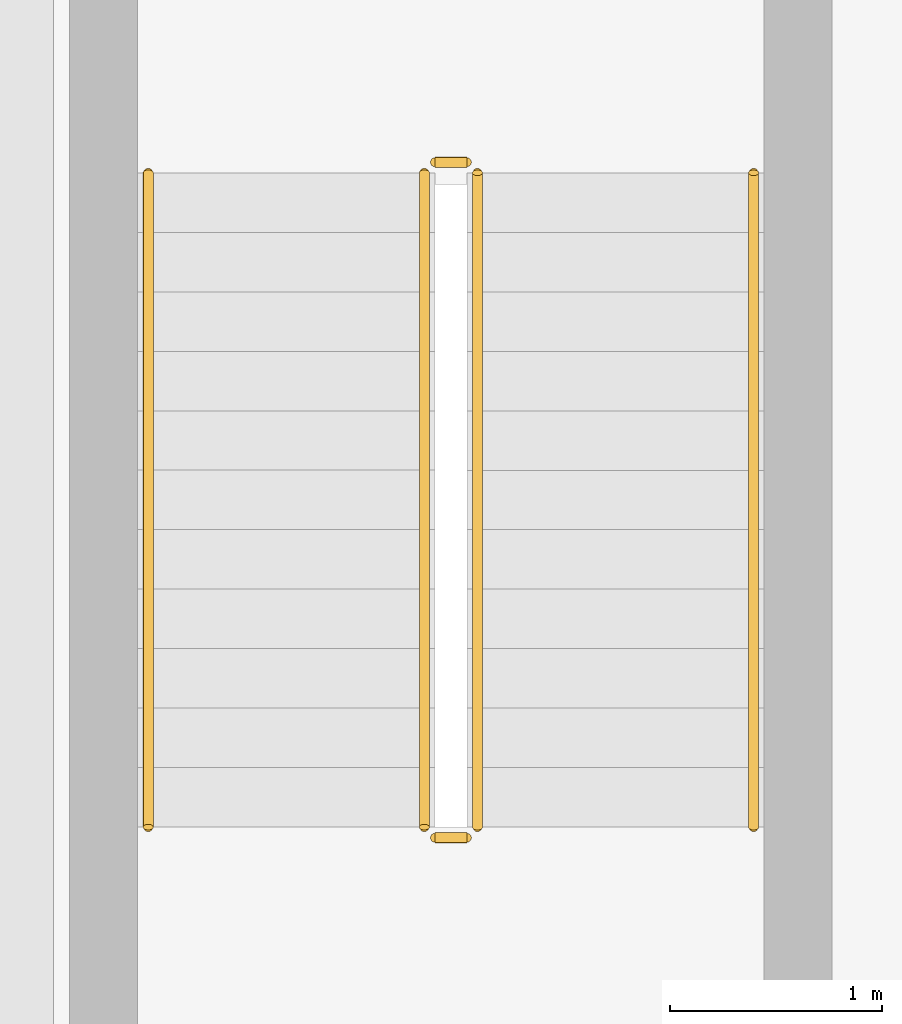
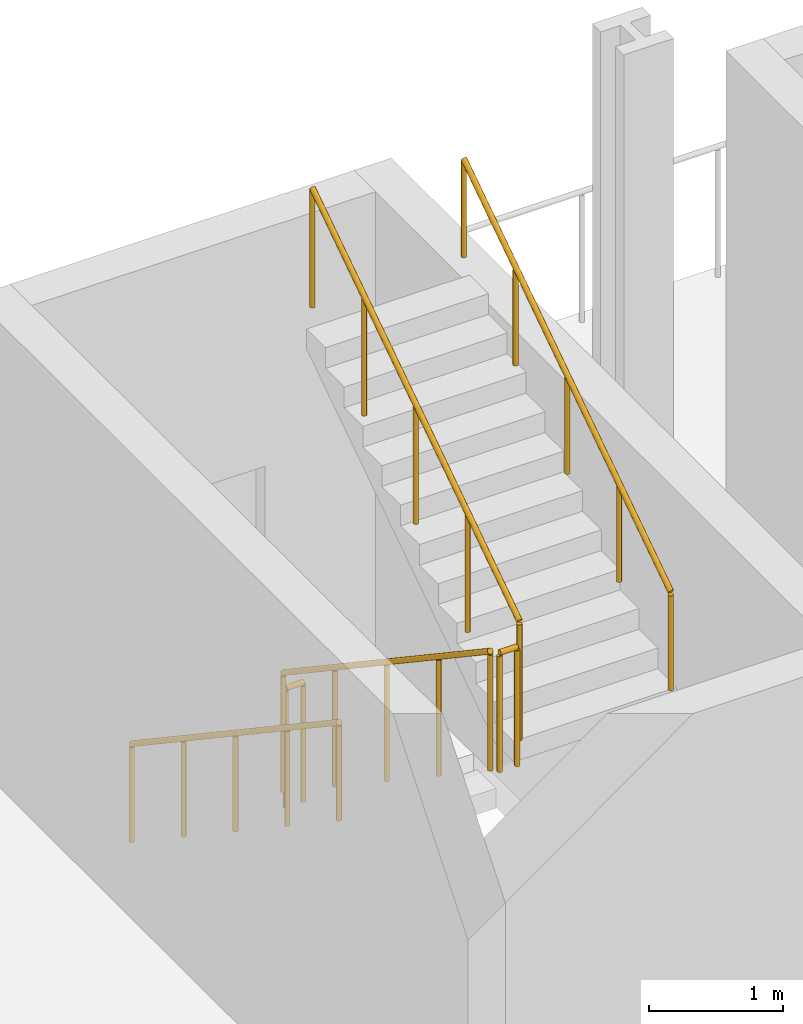
# One storey, part 21 of 25: 6 railings.
"""IFC4 building model written with IfcOpenShell, lengths in metres."""

from ifc_helpers import new_model, si_unit, direction, frame, origin, origin_2d, place, context, subcontext, project, spatial, circle, extrude, material, type_object, element, save


model = new_model("IFC4")

# Units and contexts
model_context = context("Model", 3, precision=1e-05, world=origin(), true_north=direction((0.0, 1.0)))
body_context = subcontext(model_context, "Body", "Model", "MODEL_VIEW")
ifc_project = project(units=[si_unit("LENGTHUNIT", "METRE"), si_unit("AREAUNIT", "SQUARE_METRE"), si_unit("VOLUMEUNIT", "CUBIC_METRE"), si_unit("PLANEANGLEUNIT", "RADIAN"), si_unit("MASSUNIT", "GRAM", prefix="KILO")], contexts=[model_context])

# Site, building, storey
site_placement = place(None, origin())
site = spatial("IfcSite", under=ifc_project, at=site_placement, CompositionType="ELEMENT")
building_placement = place(site_placement, origin())
building = spatial("IfcBuilding", under=site, at=building_placement, Name="Brevholm Reach", CompositionType="ELEMENT")
storey_placement = place(building_placement, frame((0.0, 0.0, 9.0)))
storey = spatial("IfcBuildingStorey", under=building, at=storey_placement, Name="L02", CompositionType="ELEMENT", Elevation=9.0)

# Railings
ifc_material_1 = material(Name="Brushed Stainless Steel EN 1.4401 Continuous Handrail", Category="steel")
railing_type_1 = type_object("IfcRailingType", Name="RAL-HND-950", PredefinedType="HANDRAIL", material=ifc_material_1)
railing_1_placement = place(storey_placement, frame((12.60009765625, 8.10009765625, 0.1875)))
element("IfcRailing", 1, at=railing_1_placement, inside=storey, type_object=railing_type_1, Name="L02 ST-1 stair handrail 1", PredefinedType="HANDRAIL", context=body_context, shape_type="SweptSolid", body=[
    extrude(circle(Radius=0.02392578125, at=origin_2d()), frame((0.0, 0.0, 0.8857421875), z_axis=(0.0, -0.830913701846, 0.55640131208), x_axis=(1.0, 0.0, 0.0)), (0.0, 0.0, 1.0), 3.706787109375),
    extrude(circle(Radius=0.02099609375, at=origin_2d()), origin(), (0.0, 0.0, 1.0), 0.86181640625),
    extrude(circle(Radius=0.02099609375, at=origin_2d()), frame((0.0, -0.77001953125, 0.515625)), (0.0, 0.0, 1.0), 0.86181640625),
    extrude(circle(Radius=0.02099609375, at=origin_2d()), frame((0.0, -1.5400390625, 1.03125)), (0.0, 0.0, 1.0), 0.86181640625),
    extrude(circle(Radius=0.02099609375, at=origin_2d()), frame((0.0, -2.31005859375, 1.546875)), (0.0, 0.0, 1.0), 0.86181640625),
    extrude(circle(Radius=0.02099609375, at=origin_2d()), frame((0.0, -3.080078125, 2.0625)), (0.0, 0.0, 1.0), 0.86181640625),
])
railing_2_placement = place(storey_placement, frame((15.449951171875, 5.02001953125, 2.4375)))
element("IfcRailing", 2, at=railing_2_placement, inside=storey, type_object=railing_type_1, Name="L02 ST-1 stair handrail 2", PredefinedType="HANDRAIL", context=body_context, shape_type="SweptSolid", body=[
    extrude(circle(Radius=0.02392578125, at=origin_2d()), frame((0.0, 0.0, 0.8857421875), z_axis=(0.0, 0.830913701846, 0.55640131208), x_axis=(-1.0, 0.0, 0.0)), (0.0, 0.0, 1.0), 3.706787109375),
    extrude(circle(Radius=0.02099609375, at=origin_2d()), origin(), (0.0, 0.0, 1.0), 0.86181640625),
    extrude(circle(Radius=0.02099609375, at=origin_2d()), frame((0.0, 0.77001953125, 0.515625)), (0.0, 0.0, 1.0), 0.86181640625),
    extrude(circle(Radius=0.02099609375, at=origin_2d()), frame((0.0, 1.5400390625, 1.03125)), (0.0, 0.0, 1.0), 0.86181640625),
    extrude(circle(Radius=0.02099609375, at=origin_2d()), frame((0.0, 2.31005859375, 1.546875)), (0.0, 0.0, 1.0), 0.86181640625),
    extrude(circle(Radius=0.02099609375, at=origin_2d()), frame((0.0, 3.080078125, 2.0625)), (0.0, 0.0, 1.0), 0.86181640625),
])
ifc_material_2 = material(Name="Painted Tubular Galvanised Steel S275JR Stair Guard", Category="steel")
railing_type_2 = type_object("IfcRailingType", Name="RAL-STG-1120", PredefinedType="BALUSTRADE", material=ifc_material_2)
railing_3_placement = place(storey_placement, frame((13.89990234375, 8.10009765625, 0.1875)))
element("IfcRailing", 3, at=railing_3_placement, inside=storey, type_object=railing_type_2, Name="L02 ST-1 stair guard 1", PredefinedType="BALUSTRADE", context=body_context, shape_type="SweptSolid", body=[
    extrude(circle(Radius=0.02392578125, at=origin_2d()), frame((0.0, 0.0, 1.076171875), z_axis=(0.0, -0.830913701846, 0.55640131208), x_axis=(1.0, 0.0, 0.0)), (0.0, 0.0, 1.0), 3.706787109375),
    extrude(circle(Radius=0.02099609375, at=origin_2d()), origin(), (0.0, 0.0, 1.0), 1.052001953125),
    extrude(circle(Radius=0.02099609375, at=origin_2d()), frame((0.0, -0.77001953125, 0.515625)), (0.0, 0.0, 1.0), 1.052001953125),
    extrude(circle(Radius=0.02099609375, at=origin_2d()), frame((0.0, -1.5400390625, 1.03125)), (0.0, 0.0, 1.0), 1.052001953125),
    extrude(circle(Radius=0.02099609375, at=origin_2d()), frame((0.0, -2.31005859375, 1.546875)), (0.0, 0.0, 1.0), 1.052001953125),
    extrude(circle(Radius=0.02099609375, at=origin_2d()), frame((0.0, -3.080078125, 2.0625)), (0.0, 0.0, 1.0), 1.052001953125),
])
railing_4_placement = place(storey_placement, frame((13.949951171875, 4.969970703125, 2.25)))
element("IfcRailing", 4, at=railing_4_placement, inside=storey, type_object=railing_type_2, Name="L02 ST-1 stair guard 2", PredefinedType="BALUSTRADE", context=body_context, shape_type="SweptSolid", body=[
    extrude(circle(Radius=0.02392578125, at=origin_2d()), frame((0.0, 0.0, 1.076171875), z_axis=(1.0, 0.0, 0.0), x_axis=(0.0, 1.0, 0.0)), (0.0, 0.0, 1.0), 0.150146484375),
    extrude(circle(Radius=0.02099609375, at=origin_2d()), origin(), (0.0, 0.0, 1.0), 1.052001953125),
    extrude(circle(Radius=0.02099609375, at=origin_2d()), frame((0.150146484375, 0.0, 0.0)), (0.0, 0.0, 1.0), 1.052001953125),
])
railing_5_placement = place(storey_placement, frame((14.14990234375, 5.02001953125, 2.4375)))
element("IfcRailing", 5, at=railing_5_placement, inside=storey, type_object=railing_type_2, Name="L02 ST-1 stair guard 3", PredefinedType="BALUSTRADE", context=body_context, shape_type="SweptSolid", body=[
    extrude(circle(Radius=0.02392578125, at=origin_2d()), frame((0.0, 0.0, 1.076171875), z_axis=(0.0, 0.830913701846, 0.55640131208), x_axis=(-1.0, 0.0, 0.0)), (0.0, 0.0, 1.0), 3.706787109375),
    extrude(circle(Radius=0.02099609375, at=origin_2d()), origin(), (0.0, 0.0, 1.0), 1.052001953125),
    extrude(circle(Radius=0.02099609375, at=origin_2d()), frame((0.0, 0.77001953125, 0.515625)), (0.0, 0.0, 1.0), 1.052001953125),
    extrude(circle(Radius=0.02099609375, at=origin_2d()), frame((0.0, 1.5400390625, 1.03125)), (0.0, 0.0, 1.0), 1.052001953125),
    extrude(circle(Radius=0.02099609375, at=origin_2d()), frame((0.0, 2.31005859375, 1.546875)), (0.0, 0.0, 1.0), 1.052001953125),
    extrude(circle(Radius=0.02099609375, at=origin_2d()), frame((0.0, 3.080078125, 2.0625)), (0.0, 0.0, 1.0), 1.052001953125),
])
railing_6_placement = place(storey_placement, frame((13.949951171875, 8.14990234375, 0.0)))
element("IfcRailing", 6, at=railing_6_placement, inside=storey, type_object=railing_type_2, Name="L02 ST-1 stair guard 4", PredefinedType="BALUSTRADE", context=body_context, shape_type="SweptSolid", body=[
    extrude(circle(Radius=0.02392578125, at=origin_2d()), frame((0.0, 0.0, 1.076171875), z_axis=(1.0, 0.0, 0.0), x_axis=(0.0, 1.0, 0.0)), (0.0, 0.0, 1.0), 0.150146484375),
    extrude(circle(Radius=0.02099609375, at=origin_2d()), origin(), (0.0, 0.0, 1.0), 1.052001953125),
    extrude(circle(Radius=0.02099609375, at=origin_2d()), frame((0.150146484375, 0.0, 0.0)), (0.0, 0.0, 1.0), 1.052001953125),
])

save(model, "model.ifc")
